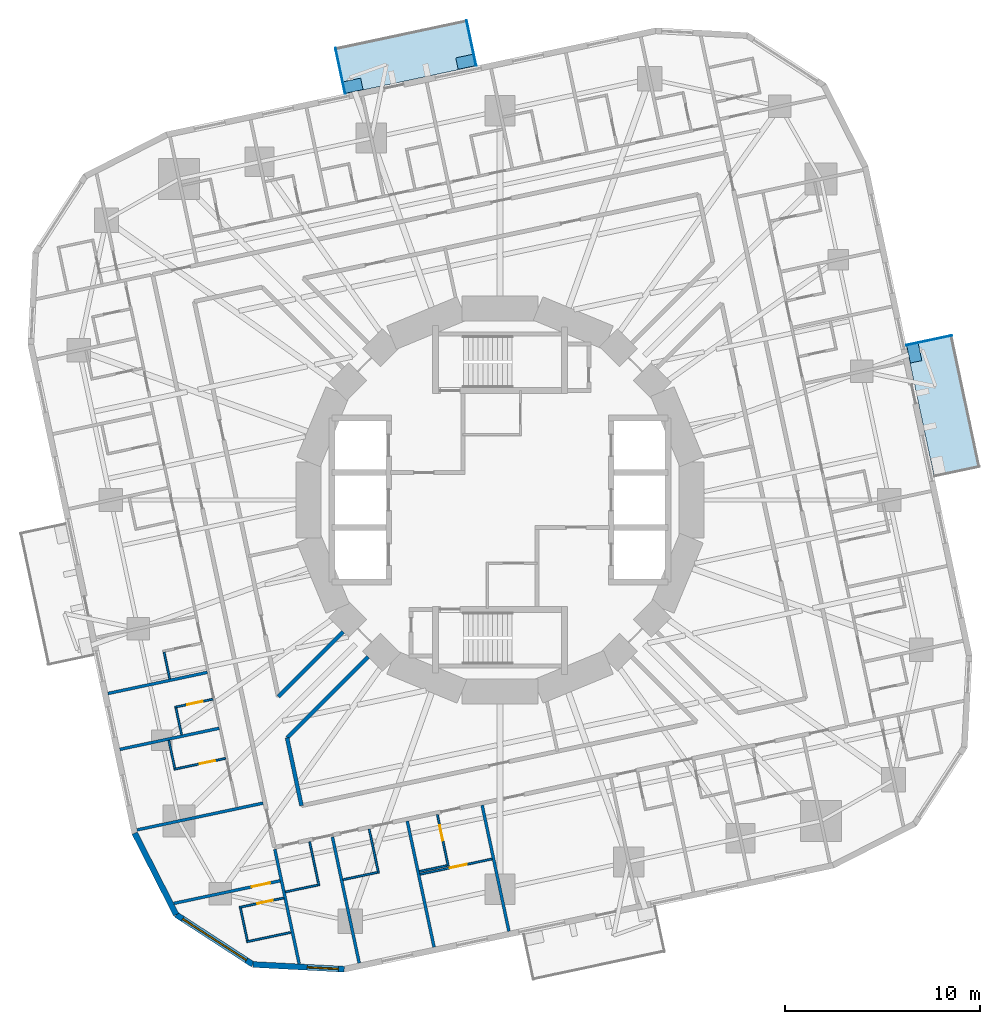
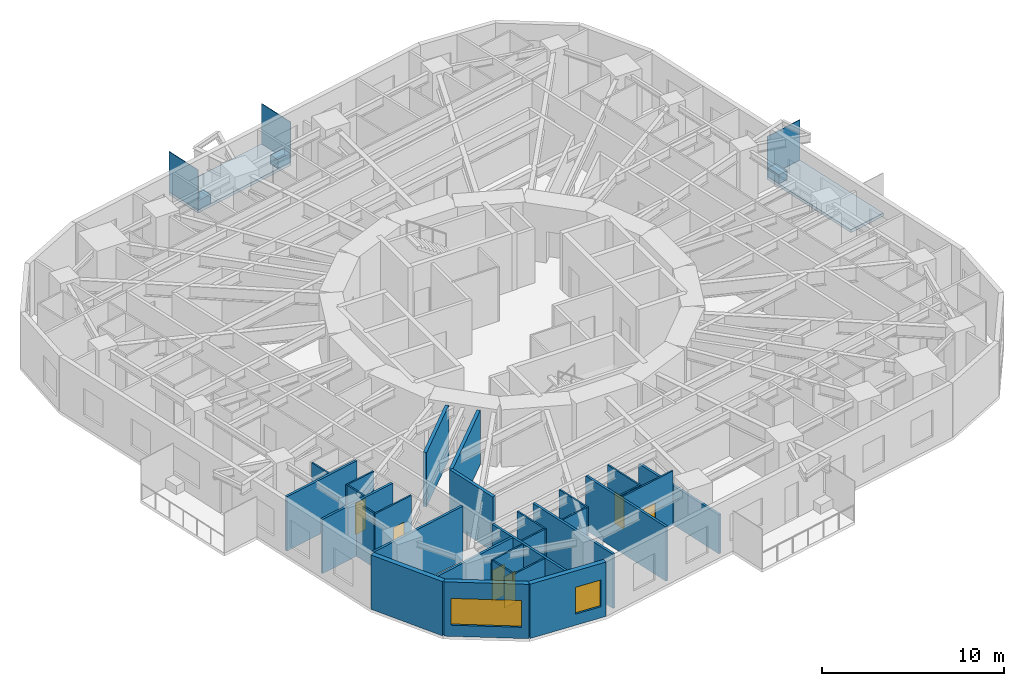
# One storey, part 4 of 14: 29 walls, 6 doors, 6 plates, 2 slabs, 2 windows, 8 openings.
"""IFC4 building model written with IfcOpenShell, lengths in metres."""

from ifc_helpers import new_model, si_unit, direction, frame, frame_2d, origin, origin_2d, place, context, subcontext, project, spatial, polyline, rectangle, outline, extrude, material, layer, layer_set, type_object, element, fill, save


model = new_model("IFC4")

# Units and contexts
model_context = context("Model", 3, precision=1e-05, world=origin(), true_north=direction((0.0, 1.0)))
body_context = subcontext(model_context, "Body", "Model", "MODEL_VIEW")
ifc_project = project(units=[si_unit("LENGTHUNIT", "METRE"), si_unit("AREAUNIT", "SQUARE_METRE"), si_unit("VOLUMEUNIT", "CUBIC_METRE"), si_unit("PLANEANGLEUNIT", "RADIAN"), si_unit("MASSUNIT", "GRAM", prefix="KILO")], contexts=[model_context])

# Site, building, storey
site_placement = place(None, origin())
site = spatial("IfcSite", under=ifc_project, at=site_placement, CompositionType="ELEMENT")
building_placement = place(site_placement, origin())
building = spatial("IfcBuilding", under=site, at=building_placement, Name="Nakasero Lantern House", CompositionType="ELEMENT")
storey_placement = place(building_placement, frame((0.0, 0.0, 108.85009765625)))
storey = spatial("IfcBuildingStorey", under=building, at=storey_placement, Name="L26", CompositionType="ELEMENT", Elevation=108.85009765625)

# Plates
ifc_material_1 = material(Name="Aluminium 6063-T6", Category="aluminium")
ifc_layer_1 = layer(ifc_material_1, 0.60009765625)
ifc_layer_set_1 = layer_set([ifc_layer_1], Name="Balcony planter 600x900")
plate_type_1 = type_object("IfcPlateType", Name="Balcony planter 600x900", PredefinedType="USERDEFINED", material=ifc_layer_set_1)
for number, where, z_axis, x_axis, name in (
    (1, (21.220947265625, 7.516357421875, -0.000244140625), (0.0, 0.0, 1.0), (0.978147600734, 0.207911690818, 0.0), "Balcony PLANTER L26 BAL0B"),
    (2, (-1.764892578125, 22.443603515625, -0.000244140625), (0.0, 0.0, 1.0), (-0.207911690818, 0.978147600734, 0.0), "Balcony PLANTER L26 BAL1A"),
    (3, (-7.516357421875, 21.220947265625, -0.000244140625), (0.0, 0.0, 1.0), (-0.207911690818, 0.978147600734, 0.0), "Balcony PLANTER L26 BAL1B"),
):
    element("IfcPlate", number, at=place(storey_placement, frame(where, z_axis=z_axis, x_axis=x_axis)), inside=storey, type_object=plate_type_1, Name=name, ObjectType="PLANTER", PredefinedType="USERDEFINED", context=body_context, shape_type="SweptSolid", body=[
        extrude(rectangle(XDim=0.60009765625, YDim=0.89990234375, at=origin_2d()), origin(), (0.0, 0.0, 1.0), 0.60009765625),
    ])
ifc_material_2 = material(Name="Aluminium 6063-T6", Category="aluminium")
ifc_layer_2 = layer(ifc_material_2, 0.0400390625)
ifc_layer_set_2 = layer_set([ifc_layer_2], Name="Balcony screen 2400x2700")
plate_type_2 = type_object("IfcPlateType", Name="Balcony screen 2400x2700", PredefinedType="SHEET", material=ifc_layer_set_2)
for number, where, z_axis, x_axis, name in (
    (4, (21.97998046875, 8.1787109375, 0.0), (0.0, 0.0, 1.0), (0.978147600734, 0.207911690818, 0.0), "Balcony SCREEN L26 BAL0B"),
    (5, (-1.468505859375, 23.40625, 0.0), (0.0, 0.0, 1.0), (-0.207911690818, 0.978147600734, 0.0), "Balcony SCREEN L26 BAL1A"),
    (6, (-8.1787109375, 21.97998046875, 0.0), (0.0, 0.0, 1.0), (-0.207911690818, 0.978147600734, 0.0), "Balcony SCREEN L26 BAL1B"),
):
    element("IfcPlate", number, at=place(storey_placement, frame(where, z_axis=z_axis, x_axis=x_axis)), inside=storey, type_object=plate_type_2, Name=name, PredefinedType="SHEET", context=body_context, shape_type="SweptSolid", body=[
        extrude(rectangle(XDim=2.39990234375, YDim=0.0400390625, at=origin_2d()), origin(), (0.0, 0.0, 1.0), 2.699951171875),
    ])

# Slabs
ifc_material_3 = material(Name="Concrete C35/45", Category="concrete")
ifc_layer_3 = layer(ifc_material_3, 0.199951171875)
ifc_layer_set_3 = layer_set([ifc_layer_3], Name="Balcony slab 200")
slab_type = type_object("IfcSlabType", Name="Balcony slab 200", PredefinedType="USERDEFINED", material=ifc_layer_set_3)
slab_1_placement = place(storey_placement, frame((0.0, 0.0, -0.2001953125)))
element("IfcSlab", 7, at=slab_1_placement, inside=storey, type_object=slab_type, Name="Balcony L26 BAL0", ObjectType="BALCONY", PredefinedType="USERDEFINED", context=body_context, shape_type="SweptSolid", body=[
    extrude(outline(polyline([(22.236572265625, 1.199462890625), (24.583984375, 1.698486328125), (23.1494140625, 8.44775390625), (20.802001953125, 7.94873046875), (22.236572265625, 1.199462890625)])), origin(), (0.0, 0.0, 1.0), 0.2001953125),
])
slab_2_placement = place(storey_placement, frame((0.0, 0.0, -0.2001953125)))
element("IfcSlab", 8, at=slab_2_placement, inside=storey, type_object=slab_type, Name="Balcony L26 BAL1", ObjectType="BALCONY", PredefinedType="USERDEFINED", context=body_context, shape_type="SweptSolid", body=[
    extrude(outline(polyline([(-1.199462890625, 22.236572265625), (-1.698486328125, 24.583984375), (-8.44775390625, 23.1494140625), (-7.94873046875, 20.802001953125), (-1.199462890625, 22.236572265625)])), origin(), (0.0, 0.0, 1.0), 0.2001953125),
])

# Walls
ifc_material_4 = material(Name="Blockwork", Category="masonry")
ifc_layer_4 = layer(ifc_material_4, 0.199951171875)
ifc_layer_set_4 = layer_set([ifc_layer_4], Name="Corridor wall 200")
wall_type_1 = type_object("IfcWallType", Name="Corridor wall 200", PredefinedType="PARTITIONING", material=ifc_layer_set_4)
wall_1_placement = place(storey_placement, frame((-10.90625, -12.178955078125, 0.0), z_axis=(0.0, 0.0, 1.0), x_axis=(0.207962251708, -0.978136852319, 0.0)))
element("IfcWall", 9, at=wall_1_placement, inside=storey, type_object=wall_type_1, Name="Corridor wall L26 IW2-1", PredefinedType="PARTITIONING", context=body_context, shape_type="SweptSolid", body=[
    extrude(rectangle(XDim=3.5546875, YDim=0.199951171875, at=frame_2d((1.77734375, 0.0))), origin(), (0.0, 0.0, 1.0), 3.64990234375),
])
wall_2_placement = place(storey_placement, frame((-6.758544921875, -8.03125, 0.0), z_axis=(0.0, 0.0, 1.0), x_axis=(-0.707106781187, -0.707106781187, 0.0)))
element("IfcWall", 10, at=wall_2_placement, inside=storey, type_object=wall_type_1, Name="Corridor wall L26 PS10a", PredefinedType="PARTITIONING", context=body_context, shape_type="SweptSolid", body=[
    extrude(rectangle(XDim=5.86572265625, YDim=0.199951171875, at=frame_2d((2.932861328125, 0.0))), origin(), (0.0, 0.0, 1.0), 3.64990234375),
])
wall_3_placement = place(storey_placement, frame((-8.03125, -6.758544921875, 0.0), z_axis=(0.0, 0.0, 1.0), x_axis=(-0.707106781187, -0.707106781187, 0.0)))
element("IfcWall", 11, at=wall_3_placement, inside=storey, type_object=wall_type_1, Name="Corridor wall L26 PS10b", PredefinedType="PARTITIONING", context=body_context, shape_type="SweptSolid", body=[
    extrude(rectangle(XDim=4.69677734375, YDim=0.199951171875, at=frame_2d((2.348388671875, 0.0))), origin(), (0.0, 0.0, 1.0), 3.64990234375),
])
ifc_material_5 = material(Name="Blockwork", Category="masonry")
ifc_layer_5 = layer(ifc_material_5, 0.10009765625)
ifc_layer_set_5 = layer_set([ifc_layer_5], Name="En-suite wall 100")
wall_type_2 = type_object("IfcWallType", Name="En-suite wall 100", PredefinedType="PARTITIONING", material=ifc_layer_set_5)
wall_4_placement = place(storey_placement, frame((-17.2060546875, -7.79150390625, 0.0), z_axis=(0.0, 0.0, 1.0), x_axis=(0.207873355681, -0.978155748334, 0.0)))
element("IfcWall", 12, at=wall_4_placement, inside=storey, type_object=wall_type_2, Name="En-suite wall L26 EE2-05", PredefinedType="PARTITIONING", context=body_context, shape_type="SweptSolid", body=[
    extrude(rectangle(XDim=1.39990234375, YDim=0.10009765625, at=frame_2d((0.699951171875, 0.0))), origin(), (0.0, 0.0, 1.0), 3.64990234375),
])

# Wall, opening, door
wall_5_placement = place(storey_placement, frame((-14.70068359375, -10.19970703125, 0.0), z_axis=(0.0, 0.0, 1.0), x_axis=(-0.978152955943, -0.207886494942, 0.0)))
wall_5 = element("IfcWall", 13, at=wall_5_placement, inside=storey, type_object=wall_type_2, Name="En-suite wall L26 ES2-06", PredefinedType="PARTITIONING", context=body_context, shape_type="SweptSolid", body=[
    extrude(rectangle(XDim=2.0, YDim=0.10009765625, at=frame_2d((1.0, 0.0))), origin(), (0.0, 0.0, 1.0), 3.64990234375),
])
opening_1_placement = place(wall_5_placement, frame((0.550048828125, 0.0, 0.0)))
opening_1 = element("IfcOpeningElement", 14, at=opening_1_placement, cuts=wall_5, Name="Opening D02", PredefinedType="OPENING", context=body_context, shape_type="SweptSolid", body=[
    extrude(rectangle(XDim=0.800048828125, YDim=2.10009765625, at=frame_2d((0.39990234375, 1.050048828125))), frame((0.0, 0.070068359375, 0.0), z_axis=(0.0, -1.0, 0.0), x_axis=(1.0, 0.0, 0.0)), (0.0, 0.0, 1.0), 0.14013671875),
])
ifc_material_6 = material(Name="Timber C24", Category="wood")
door_type_1 = type_object("IfcDoorType", Name="En-suite door 800", OperationType="SINGLE_SWING_RIGHT", PredefinedType="DOOR", material=ifc_material_6)
door_1_placement = place(opening_1_placement, origin())
door_1 = element("IfcDoor", 15, at=door_1_placement, inside=storey, type_object=door_type_1, Name="Door L26 DE2-06", OperationType="SINGLE_SWING_LEFT", OverallHeight=2.10009765625, OverallWidth=0.800048828125, PredefinedType="DOOR", context=body_context, shape_type="SweptSolid", body=[
    extrude(rectangle(XDim=0.800048828125, YDim=2.10009765625, at=frame_2d((0.39990234375, 1.050048828125))), frame((0.0, 0.02490234375, 0.0), z_axis=(0.0, -1.0, 0.0), x_axis=(1.0, 0.0, 0.0)), (0.0, 0.0, 1.0), 0.050048828125),
])
fill(opening_1, door_1)

# Wall
wall_6_placement = place(storey_placement, frame((-16.59765625, -10.654052734375, 0.0), z_axis=(0.0, 0.0, 1.0), x_axis=(0.207873355681, -0.978155748334, 0.0)))
element("IfcWall", 16, at=wall_6_placement, inside=storey, type_object=wall_type_2, Name="En-suite wall L26 EE2-06", PredefinedType="PARTITIONING", context=body_context, shape_type="SweptSolid", body=[
    extrude(rectangle(XDim=1.39990234375, YDim=0.10009765625, at=frame_2d((0.699951171875, 0.0))), origin(), (0.0, 0.0, 1.0), 3.64990234375),
])

# Wall, opening, door
wall_7_placement = place(storey_placement, frame((-14.05615234375, -13.23193359375, 0.0), z_axis=(0.0, 0.0, 1.0), x_axis=(-0.978151725935, -0.207892282326, 0.0)))
wall_7 = element("IfcWall", 17, at=wall_7_placement, inside=storey, type_object=wall_type_2, Name="En-suite wall L26 ES2-07", PredefinedType="PARTITIONING", context=body_context, shape_type="SweptSolid", body=[
    extrude(rectangle(XDim=2.699951171875, YDim=0.10009765625, at=frame_2d((1.35009765625, 0.0))), origin(), (0.0, 0.0, 1.0), 3.64990234375),
])
opening_2_placement = place(wall_7_placement, frame((0.550048828125, 0.0, 0.0)))
opening_2 = element("IfcOpeningElement", 18, at=opening_2_placement, cuts=wall_7, Name="Opening D02", PredefinedType="OPENING", context=body_context, shape_type="SweptSolid", body=[
    extrude(rectangle(XDim=0.800048828125, YDim=2.10009765625, at=frame_2d((0.39990234375, 1.050048828125))), frame((0.0, 0.070068359375, 0.0), z_axis=(0.0, -1.0, 0.0), x_axis=(1.0, 0.0, 0.0)), (0.0, 0.0, 1.0), 0.14013671875),
])
door_2_placement = place(opening_2_placement, origin())
door_2 = element("IfcDoor", 19, at=door_2_placement, inside=storey, type_object=door_type_1, Name="Door L26 DE2-07", OperationType="SINGLE_SWING_LEFT", OverallHeight=2.10009765625, OverallWidth=0.800048828125, PredefinedType="DOOR", context=body_context, shape_type="SweptSolid", body=[
    extrude(rectangle(XDim=0.800048828125, YDim=2.10009765625, at=frame_2d((0.39990234375, 1.050048828125))), frame((0.0, 0.02490234375, 0.0), z_axis=(0.0, -1.0, 0.0), x_axis=(1.0, 0.0, 0.0)), (0.0, 0.0, 1.0), 0.050048828125),
])
fill(opening_2, door_2)

# Wall
wall_8_placement = place(storey_placement, frame((-16.9599609375, -12.315673828125, 0.0), z_axis=(0.0, 0.0, 1.0), x_axis=(0.207792295849, -0.978172971302, 0.0)))
element("IfcWall", 20, at=wall_8_placement, inside=storey, type_object=wall_type_2, Name="En-suite wall L26 EE2-07", PredefinedType="PARTITIONING", context=body_context, shape_type="SweptSolid", body=[
    extrude(rectangle(XDim=1.449951171875, YDim=0.10009765625, at=frame_2d((0.72509765625, 0.0))), origin(), (0.0, 0.0, 1.0), 3.64990234375),
])

# Wall, opening, door
wall_9_placement = place(storey_placement, frame((-11.069091796875, -20.382568359375, 0.0), z_axis=(0.0, 0.0, 1.0), x_axis=(-0.978136257952, -0.207965047255, 0.0)))
wall_9 = element("IfcWall", 21, at=wall_9_placement, inside=storey, type_object=wall_type_2, Name="En-suite wall L26 ES2-08", PredefinedType="PARTITIONING", context=body_context, shape_type="SweptSolid", body=[
    extrude(rectangle(XDim=2.3349609375, YDim=0.10009765625, at=frame_2d((1.16748046875, 0.0))), origin(), (0.0, 0.0, 1.0), 3.64990234375),
])
opening_3_placement = place(wall_9_placement, frame((0.5849609375, 0.0, 0.0)))
opening_3 = element("IfcOpeningElement", 22, at=opening_3_placement, cuts=wall_9, Name="Opening D02", PredefinedType="OPENING", context=body_context, shape_type="SweptSolid", body=[
    extrude(rectangle(XDim=0.800048828125, YDim=2.10009765625, at=frame_2d((0.39990234375, 1.050048828125))), frame((0.0, 0.070068359375, 0.0), z_axis=(0.0, -1.0, 0.0), x_axis=(1.0, 0.0, 0.0)), (0.0, 0.0, 1.0), 0.14013671875),
])
door_3_placement = place(opening_3_placement, origin())
door_3 = element("IfcDoor", 23, at=door_3_placement, inside=storey, type_object=door_type_1, Name="Door L26 DE2-08", OperationType="SINGLE_SWING_LEFT", OverallHeight=2.10009765625, OverallWidth=0.800048828125, PredefinedType="DOOR", context=body_context, shape_type="SweptSolid", body=[
    extrude(rectangle(XDim=0.800048828125, YDim=2.10009765625, at=frame_2d((0.39990234375, 1.050048828125))), frame((0.0, 0.02490234375, 0.0), z_axis=(0.0, -1.0, 0.0), x_axis=(1.0, 0.0, 0.0)), (0.0, 0.0, 1.0), 0.050048828125),
])
fill(opening_3, door_3)

# Walls
wall_10_placement = place(storey_placement, frame((-13.293701171875, -20.906494140625, 0.0), z_axis=(0.0, 0.0, 1.0), x_axis=(0.207812379357, -0.978168704767, 0.0)))
element("IfcWall", 24, at=wall_10_placement, inside=storey, type_object=wall_type_2, Name="En-suite wall L26 EE2-08", PredefinedType="PARTITIONING", context=body_context, shape_type="SweptSolid", body=[
    extrude(rectangle(XDim=1.699951171875, YDim=0.10009765625, at=frame_2d((0.85009765625, 0.0))), origin(), (0.0, 0.0, 1.0), 3.64990234375),
])
for number, where, z_axis, x_axis, name in (
    (25, (-10.72900390625, -22.150634765625, 0.0), (0.0, 0.0, 1.0), (-0.978162897375, -0.207839712757, 0.0), "En-suite wall L26 EV2-08"),
    (26, (-9.74755859375, -17.50927734375, 0.0), (0.0, 0.0, 1.0), (0.207839712757, -0.978162897375, 0.0), "En-suite wall L26 ES3-00"),
):
    element("IfcWall", number, at=place(storey_placement, frame(where, z_axis=z_axis, x_axis=x_axis)), inside=storey, type_object=wall_type_2, Name=name, PredefinedType="PARTITIONING", context=body_context, shape_type="SweptSolid", body=[
        extrude(rectangle(XDim=2.300048828125, YDim=0.10009765625, at=frame_2d((1.14990234375, 0.0))), origin(), (0.0, 0.0, 1.0), 3.64990234375),
    ])
wall_11_placement = place(storey_placement, frame((-10.99169921875, -20.073974609375, 0.0), z_axis=(0.0, 0.0, 1.0), x_axis=(0.97814571127, 0.207920579847, 0.0)))
element("IfcWall", 27, at=wall_11_placement, inside=storey, type_object=wall_type_2, Name="En-suite wall L26 EE3-00", PredefinedType="PARTITIONING", context=body_context, shape_type="SweptSolid", body=[
    extrude(rectangle(XDim=1.7001953125, YDim=0.10009765625, at=frame_2d((0.85009765625, 0.0))), origin(), (0.0, 0.0, 1.0), 3.64990234375),
])
wall_12_placement = place(storey_placement, frame((-6.69970703125, -16.861328125, 0.0), z_axis=(0.0, 0.0, 1.0), x_axis=(0.207941273027, -0.978141312374, 0.0)))
element("IfcWall", 28, at=wall_12_placement, inside=storey, type_object=wall_type_2, Name="En-suite wall L26 ES3-01", PredefinedType="PARTITIONING", context=body_context, shape_type="SweptSolid", body=[
    extrude(rectangle(XDim=2.300048828125, YDim=0.10009765625, at=frame_2d((1.14990234375, 0.0))), origin(), (0.0, 0.0, 1.0), 3.64990234375),
])
wall_13_placement = place(storey_placement, frame((-8.041259765625, -19.44677734375, 0.0), z_axis=(0.0, 0.0, 1.0), x_axis=(0.978140575842, 0.207944737591, 0.0)))
element("IfcWall", 29, at=wall_13_placement, inside=storey, type_object=wall_type_2, Name="En-suite wall L26 EE3-01", PredefinedType="PARTITIONING", context=body_context, shape_type="SweptSolid", body=[
    extrude(rectangle(XDim=1.7998046875, YDim=0.10009765625, at=frame_2d((0.89990234375, 0.0))), origin(), (0.0, 0.0, 1.0), 3.64990234375),
])

# Wall, opening, door
wall_14_placement = place(storey_placement, frame((-3.2080078125, -16.119140625, 0.0), z_axis=(0.0, 0.0, 1.0), x_axis=(0.207873895514, -0.97815563361, 0.0)))
wall_14 = element("IfcWall", 30, at=wall_14_placement, inside=storey, type_object=wall_type_2, Name="En-suite wall L26 ES3-02", PredefinedType="PARTITIONING", context=body_context, shape_type="SweptSolid", body=[
    extrude(rectangle(XDim=2.7001953125, YDim=0.10009765625, at=frame_2d((1.35009765625, 0.0))), origin(), (0.0, 0.0, 1.0), 3.64990234375),
])
opening_4_placement = place(wall_14_placement, frame((0.550048828125, 0.0, 0.0)))
opening_4 = element("IfcOpeningElement", 31, at=opening_4_placement, cuts=wall_14, Name="Opening D02", PredefinedType="OPENING", context=body_context, shape_type="SweptSolid", body=[
    extrude(rectangle(XDim=0.800048828125, YDim=2.10009765625, at=frame_2d((0.39990234375, 1.050048828125))), frame((0.0, 0.070068359375, 0.0), z_axis=(0.0, -1.0, 0.0), x_axis=(1.0, 0.0, 0.0)), (0.0, 0.0, 1.0), 0.14013671875),
])
door_4_placement = place(opening_4_placement, origin())
door_4 = element("IfcDoor", 32, at=door_4_placement, inside=storey, type_object=door_type_1, Name="Door L26 DE3-02", OperationType="SINGLE_SWING_LEFT", OverallHeight=2.10009765625, OverallWidth=0.800048828125, PredefinedType="DOOR", context=body_context, shape_type="SweptSolid", body=[
    extrude(rectangle(XDim=0.800048828125, YDim=2.10009765625, at=frame_2d((0.39990234375, 1.050048828125))), frame((0.0, 0.02490234375, 0.0), z_axis=(0.0, -1.0, 0.0), x_axis=(1.0, 0.0, 0.0)), (0.0, 0.0, 1.0), 0.050048828125),
])
fill(opening_4, door_4)

# Wall
wall_15_placement = place(storey_placement, frame((-4.124267578125, -19.023193359375, 0.0), z_axis=(0.0, 0.0, 1.0), x_axis=(0.978138732977, 0.207953405961, 0.0)))
element("IfcWall", 33, at=wall_15_placement, inside=storey, type_object=wall_type_2, Name="En-suite wall L26 EE3-02", PredefinedType="PARTITIONING", context=body_context, shape_type="SweptSolid", body=[
    extrude(rectangle(XDim=1.449951171875, YDim=0.10009765625, at=frame_2d((0.72509765625, 0.0))), origin(), (0.0, 0.0, 1.0), 3.64990234375),
])

# Wall, opening, door
wall_16_placement = place(storey_placement, frame((-4.09326171875, -19.169921875, 0.0), z_axis=(0.0, 0.0, 1.0), x_axis=(0.978150784773, 0.207896710529, 0.0)))
wall_16 = element("IfcWall", 34, at=wall_16_placement, inside=storey, type_object=wall_type_2, Name="En-suite wall L26 EL3-02", PredefinedType="PARTITIONING", context=body_context, shape_type="SweptSolid", body=[
    extrude(rectangle(XDim=3.76953125, YDim=0.10009765625, at=frame_2d((1.884765625, 0.0))), origin(), (0.0, 0.0, 1.0), 3.64990234375),
])
opening_5_placement = place(wall_16_placement, frame((1.550048828125, 0.0, 0.0)))
opening_5 = element("IfcOpeningElement", 35, at=opening_5_placement, cuts=wall_16, Name="Opening D17", PredefinedType="OPENING", context=body_context, shape_type="SweptSolid", body=[
    extrude(rectangle(XDim=0.89990234375, YDim=2.10009765625, at=frame_2d((0.449951171875, 1.050048828125))), frame((0.0, 0.070068359375, 0.0), z_axis=(0.0, -1.0, 0.0), x_axis=(1.0, 0.0, 0.0)), (0.0, 0.0, 1.0), 0.14013671875),
])
ifc_material_7 = material(Name="Timber C24", Category="wood")
door_type_2 = type_object("IfcDoorType", Name="Bedroom door FD30S 900", OperationType="SINGLE_SWING_LEFT", PredefinedType="DOOR", material=ifc_material_7)
door_5_placement = place(opening_5_placement, origin())
door_5 = element("IfcDoor", 36, at=door_5_placement, inside=storey, type_object=door_type_2, Name="Door L26 DL3-02", OperationType="SINGLE_SWING_RIGHT", OverallHeight=2.10009765625, OverallWidth=0.89990234375, PredefinedType="DOOR", context=body_context, shape_type="SweptSolid", body=[
    extrude(rectangle(XDim=0.89990234375, YDim=2.10009765625, at=frame_2d((0.449951171875, 1.050048828125))), frame((0.0, 0.02490234375, 0.0), z_axis=(0.0, -1.0, 0.0), x_axis=(1.0, 0.0, 0.0)), (0.0, 0.0, 1.0), 0.050048828125),
])
fill(opening_5, door_5)

# Wall
ifc_material_8 = material(Name="Aluminium rainscreen on blockwork", Category="masonry")
ifc_layer_6 = layer(ifc_material_8, 0.300048828125)
ifc_layer_set_6 = layer_set([ifc_layer_6], Name="Facade wall 300")
wall_type_3 = type_object("IfcWallType", Name="Facade wall 300", PredefinedType="SOLIDWALL", material=ifc_layer_set_6)
wall_17_placement = place(storey_placement, frame((-18.711181640625, -17.063232421875, 0.0), z_axis=(0.0, 0.0, 1.0), x_axis=(0.453975745332, -0.89101404178, 0.0)))
element("IfcWall", 37, at=wall_17_placement, inside=storey, type_object=wall_type_3, Name="Facade wall L26 FW2C1", PredefinedType="SOLIDWALL", context=body_context, shape_type="SweptSolid", body=[
    extrude(rectangle(XDim=4.6845703125, YDim=0.300048828125, at=frame_2d((2.34228515625, 0.0))), origin(), (0.0, 0.0, 1.0), 3.64990234375),
])

# Wall, opening, window
wall_18_placement = place(storey_placement, frame((-16.58447265625, -21.2373046875, 0.0), z_axis=(0.0, 0.0, 1.0), x_axis=(0.838692381994, -0.544605442853, 0.0)))
wall_18 = element("IfcWall", 38, at=wall_18_placement, inside=storey, type_object=wall_type_3, Name="Facade wall L26 FW2C2", PredefinedType="SOLIDWALL", context=body_context, shape_type="SweptSolid", body=[
    extrude(rectangle(XDim=4.6845703125, YDim=0.300048828125, at=frame_2d((2.34228515625, 0.0))), origin(), (0.0, 0.0, 1.0), 3.64990234375),
])
opening_6_placement = place(wall_18_placement, frame((0.39990234375, 0.0, 0.75)))
opening_6 = element("IfcOpeningElement", 39, at=opening_6_placement, cuts=wall_18, Name="Opening W238", PredefinedType="OPENING", context=body_context, shape_type="SweptSolid", body=[
    extrude(rectangle(XDim=3.885009765625, YDim=1.800048828125, at=frame_2d((1.9423828125, 0.89990234375))), frame((0.0, 0.169921875, 0.0), z_axis=(0.0, -1.0, 0.0), x_axis=(1.0, 0.0, 0.0)), (0.0, 0.0, 1.0), 0.340087890625),
])
ifc_material_9 = material(Name="Aluminium 6063-T6 and glass", Category="aluminium")
window_type_1 = type_object("IfcWindowType", Name="Corner window 3885x1800", PartitioningType="SINGLE_PANEL", PredefinedType="WINDOW", material=ifc_material_9)
window_1_placement = place(opening_6_placement, origin())
window_1 = element("IfcWindow", 40, at=window_1_placement, inside=storey, type_object=window_type_1, Name="Window L26 WC2", OverallHeight=1.800048828125, OverallWidth=3.885009765625, PartitioningType="SINGLE_PANEL", PredefinedType="WINDOW", context=body_context, shape_type="SweptSolid", body=[
    extrude(rectangle(XDim=3.885009765625, YDim=1.800048828125, at=frame_2d((1.9423828125, 0.89990234375))), frame((0.0, 0.030029296875, 0.0), z_axis=(0.0, -1.0, 0.0), x_axis=(1.0, 0.0, 0.0)), (0.0, 0.0, 1.0), 0.06005859375),
])
fill(opening_6, window_1)

wall_19_placement = place(storey_placement, frame((-12.655517578125, -23.78857421875, 0.0), z_axis=(0.0, 0.0, 1.0), x_axis=(0.998630039879, -0.052326317, 0.0)))
wall_19 = element("IfcWall", 41, at=wall_19_placement, inside=storey, type_object=wall_type_3, Name="Facade wall L26 FW2C3", PredefinedType="SOLIDWALL", context=body_context, shape_type="SweptSolid", body=[
    extrude(rectangle(XDim=4.684326171875, YDim=0.300048828125, at=frame_2d((2.34228515625, 0.0))), origin(), (0.0, 0.0, 1.0), 3.64990234375),
])
opening_7_placement = place(wall_19_placement, frame((2.784912109375, 0.0, 0.75)))
opening_7 = element("IfcOpeningElement", 42, at=opening_7_placement, cuts=wall_19, Name="Opening W01", PredefinedType="OPENING", context=body_context, shape_type="SweptSolid", body=[
    extrude(rectangle(XDim=1.60009765625, YDim=1.800048828125, at=frame_2d((0.800048828125, 0.89990234375))), frame((0.0, 0.169921875, 0.0), z_axis=(0.0, -1.0, 0.0), x_axis=(1.0, 0.0, 0.0)), (0.0, 0.0, 1.0), 0.340087890625),
])
ifc_material_10 = material(Name="Aluminium 6063-T6 and glass", Category="aluminium")
window_type_2 = type_object("IfcWindowType", Name="Bedroom window 1600x1800", PartitioningType="SINGLE_PANEL", PredefinedType="WINDOW", material=ifc_material_10)
window_2_placement = place(opening_7_placement, origin())
window_2 = element("IfcWindow", 43, at=window_2_placement, inside=storey, type_object=window_type_2, Name="Window L26 WN3-00", OverallHeight=1.800048828125, OverallWidth=1.60009765625, PartitioningType="SINGLE_PANEL", PredefinedType="WINDOW", context=body_context, shape_type="SweptSolid", body=[
    extrude(rectangle(XDim=1.60009765625, YDim=1.800048828125, at=frame_2d((0.800048828125, 0.89990234375))), frame((0.0, 0.030029296875, 0.0), z_axis=(0.0, -1.0, 0.0), x_axis=(1.0, 0.0, 0.0)), (0.0, 0.0, 1.0), 0.06005859375),
])
fill(opening_7, window_2)

# Walls
ifc_material_11 = material(Name="Blockwork", Category="masonry")
ifc_layer_7 = layer(ifc_material_11, 0.14990234375)
ifc_layer_set_7 = layer_set([ifc_layer_7], Name="Party wall 150")
wall_type_4 = type_object("IfcWallType", Name="Party wall 150", PredefinedType="PARTITIONING", material=ifc_layer_set_7)
for number, where, z_axis, x_axis, name in (
    (44, (-14.991943359375, -8.828857421875, 0.0), (0.0, 0.0, 1.0), (-0.978151452323, -0.207893569688, 0.0), "Party wall L26 PW2-06"),
    (45, (-14.383544921875, -11.69140625, 0.0), (0.0, 0.0, 1.0), (-0.978151452323, -0.207893569688, 0.0), "Party wall L26 PW2-07"),
):
    element("IfcWall", number, at=place(storey_placement, frame(where, z_axis=z_axis, x_axis=x_axis)), inside=storey, type_object=wall_type_4, Name=name, PredefinedType="PARTITIONING", context=body_context, shape_type="SweptSolid", body=[
        extrude(rectangle(XDim=5.199951171875, YDim=0.14990234375, at=frame_2d((2.60009765625, 0.0))), origin(), (0.0, 0.0, 1.0), 3.64990234375),
    ])
wall_20_placement = place(storey_placement, frame((-12.13720703125, -15.526123046875, 0.0), z_axis=(0.0, 0.0, 1.0), x_axis=(-0.978144841009, -0.207924673876, 0.0)))
element("IfcWall", 46, at=wall_20_placement, inside=storey, type_object=wall_type_4, Name="Party wall L26 PW2-08", PredefinedType="PARTITIONING", context=body_context, shape_type="SweptSolid", body=[
    extrude(rectangle(XDim=6.60009765625, YDim=0.14990234375, at=frame_2d((3.300048828125, 0.0))), origin(), (0.0, 0.0, 1.0), 3.64990234375),
])

# Wall, opening, door
wall_21_placement = place(storey_placement, frame((-11.256103515625, -19.502197265625, 0.0), z_axis=(0.0, 0.0, 1.0), x_axis=(-0.978142361087, -0.207936339891, 0.0)))
wall_21 = element("IfcWall", 47, at=wall_21_placement, inside=storey, type_object=wall_type_4, Name="Party wall L26 PC2", PredefinedType="PARTITIONING", context=body_context, shape_type="SweptSolid", body=[
    extrude(rectangle(XDim=5.570068359375, YDim=0.14990234375, at=frame_2d((2.78515625, 0.0))), origin(), (0.0, 0.0, 1.0), 3.64990234375),
])
opening_8_placement = place(wall_21_placement, frame((0.534912109375, 0.0, 0.0)))
opening_8 = element("IfcOpeningElement", 48, at=opening_8_placement, cuts=wall_21, Name="Opening D01", PredefinedType="OPENING", context=body_context, shape_type="SweptSolid", body=[
    extrude(rectangle(XDim=0.949951171875, YDim=2.10009765625, at=frame_2d((0.47509765625, 1.050048828125))), frame((0.0, 0.094970703125, 0.0), z_axis=(0.0, -1.0, 0.0), x_axis=(1.0, 0.0, 0.0)), (0.0, 0.0, 1.0), 0.18994140625),
])
ifc_material_12 = material(Name="Timber C24", Category="wood")
door_type_3 = type_object("IfcDoorType", Name="Bedroom door FD30S 950", OperationType="SINGLE_SWING_LEFT", PredefinedType="DOOR", material=ifc_material_12)
door_6_placement = place(opening_8_placement, origin())
door_6 = element("IfcDoor", 49, at=door_6_placement, inside=storey, type_object=door_type_3, Name="Door L26 DC2", OperationType="SINGLE_SWING_LEFT", OverallHeight=2.10009765625, OverallWidth=0.949951171875, PredefinedType="DOOR", context=body_context, shape_type="SweptSolid", body=[
    extrude(rectangle(XDim=0.949951171875, YDim=2.10009765625, at=frame_2d((0.47509765625, 1.050048828125))), frame((0.0, 0.02490234375, 0.0), z_axis=(0.0, -1.0, 0.0), x_axis=(1.0, 0.0, 0.0)), (0.0, 0.0, 1.0), 0.050048828125),
])
fill(opening_8, door_6)

# Walls
wall_22_placement = place(storey_placement, frame((-11.53271484375, -17.888671875, 0.0), z_axis=(0.0, 0.0, 1.0), x_axis=(0.207886494942, -0.978152955943, 0.0)))
element("IfcWall", 50, at=wall_22_placement, inside=storey, type_object=wall_type_4, Name="Party wall L26 PW3-00", PredefinedType="PARTITIONING", context=body_context, shape_type="SweptSolid", body=[
    extrude(rectangle(XDim=6.0, YDim=0.14990234375, at=frame_2d((3.0, 0.0))), origin(), (0.0, 0.0, 1.0), 3.64990234375),
])
wall_23_placement = place(storey_placement, frame((-8.58251953125, -17.26171875, 0.0), z_axis=(0.0, 0.0, 1.0), x_axis=(0.207932197326, -0.978143241716, 0.0)))
element("IfcWall", 51, at=wall_23_placement, inside=storey, type_object=wall_type_4, Name="Party wall L26 PW3-01", PredefinedType="PARTITIONING", context=body_context, shape_type="SweptSolid", body=[
    extrude(rectangle(XDim=6.599853515625, YDim=0.14990234375, at=frame_2d((3.2998046875, 0.0))), origin(), (0.0, 0.0, 1.0), 3.64990234375),
])
wall_24_placement = place(storey_placement, frame((-4.748779296875, -16.44677734375, 0.0), z_axis=(0.0, 0.0, 1.0), x_axis=(0.207924673876, -0.978144841009, 0.0)))
element("IfcWall", 52, at=wall_24_placement, inside=storey, type_object=wall_type_4, Name="Party wall L26 PW3-02", PredefinedType="PARTITIONING", context=body_context, shape_type="SweptSolid", body=[
    extrude(rectangle(XDim=6.60009765625, YDim=0.14990234375, at=frame_2d((3.300048828125, 0.0))), origin(), (0.0, 0.0, 1.0), 3.64990234375),
])
wall_25_placement = place(storey_placement, frame((-0.914794921875, -15.6318359375, 0.0), z_axis=(0.0, 0.0, 1.0), x_axis=(0.207924673876, -0.978144841009, 0.0)))
element("IfcWall", 53, at=wall_25_placement, inside=storey, type_object=wall_type_4, Name="Party wall L26 PW3-03", PredefinedType="PARTITIONING", context=body_context, shape_type="SweptSolid", body=[
    extrude(rectangle(XDim=6.60009765625, YDim=0.14990234375, at=frame_2d((3.300048828125, 0.0))), origin(), (0.0, 0.0, 1.0), 2.634033203125),
])

save(model, "model.ifc")
